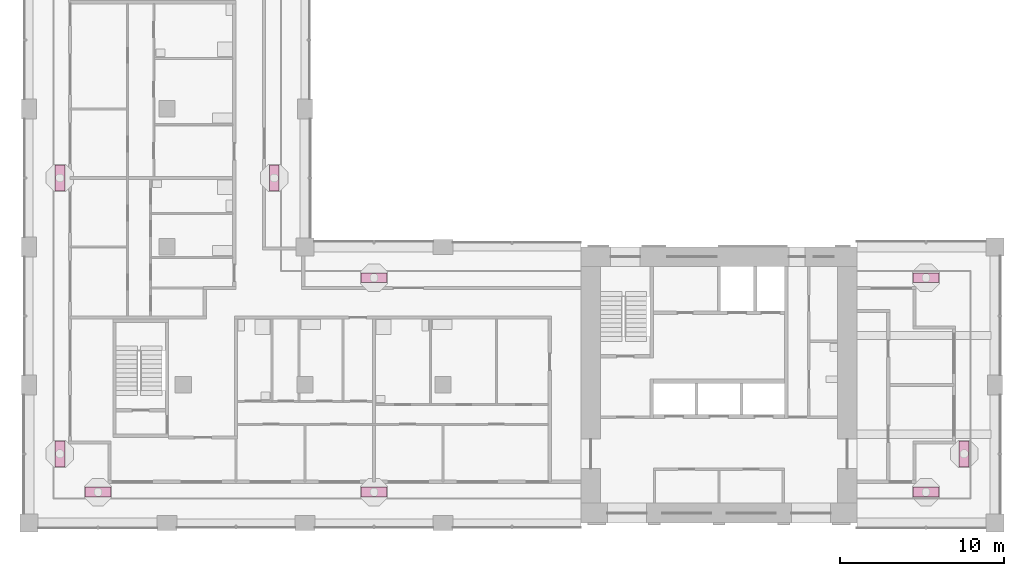
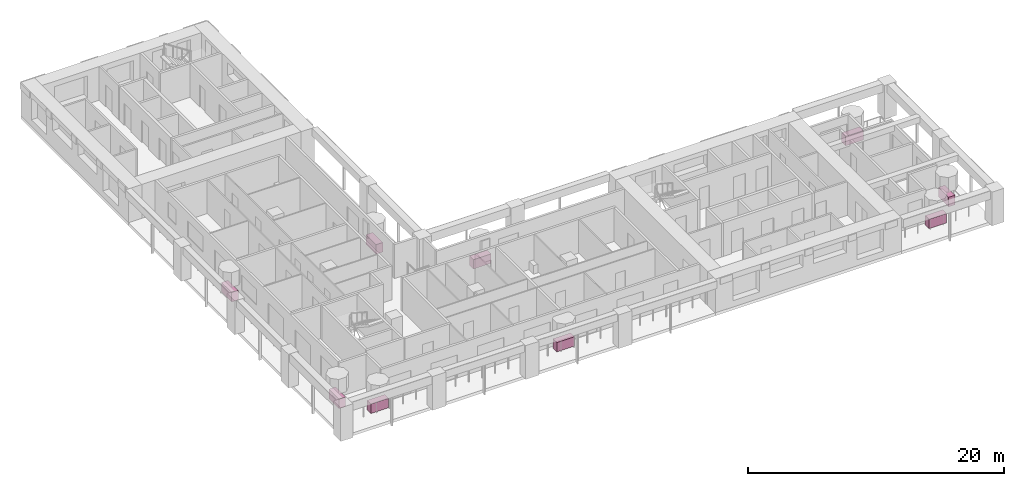
# One storey, part 12 of 13: 9 furniture elements.
"""IFC4 building model written with IfcOpenShell, lengths in metres."""

import ifcopenshell
import ifcopenshell.guid

model = None  # the IFC model being written
_history = None  # IfcOwnerHistory: only IFC2X3 demands one
_inside = {}  # id of a spatial element -> (the spatial element, [elements in it])
_under = {}  # id of a project, library or spatial element -> (it, [spatial elements below it])
_declared = {}  # id of a project -> (the project, [libraries it declares])
_typed = {}  # id of a type object -> (the type object, [elements of that type])
_made_of = {}  # id of a material, layer set ... -> (it, [elements and type objects made of it])


def new_model(schema):
    """Start an empty IFC model of exactly this schema.

    Asked for "IFC4X3", IfcOpenShell would pick the latest addendum, in which some entities
    have other attributes; the version numbers below select the first issue.
    IFC2X3 requires an IfcOwnerHistory on every rooted entity: one is made here for all.
    """
    global model, _history
    if schema == "IFC4X3":
        model = ifcopenshell.file(schema_version=(4, 3, 0, 0))
    else:
        model = ifcopenshell.file(schema=schema)
    _inside.clear()
    _under.clear()
    _declared.clear()
    _typed.clear()
    _made_of.clear()
    _history = None
    if model.schema == "IFC2X3":
        org = make("IfcOrganization", Name="unknown")
        user = make(
            "IfcPersonAndOrganization",
            ThePerson=make("IfcPerson", FamilyName="unknown"),
            TheOrganization=org,
        )
        app = make(
            "IfcApplication",
            ApplicationDeveloper=org,
            Version="unknown",
            ApplicationFullName="unknown",
            ApplicationIdentifier="unknown",
        )
        _history = make(
            "IfcOwnerHistory",
            OwningUser=user,
            OwningApplication=app,
            ChangeAction="ADDED",
            CreationDate=0,
        )
    return model


def make(cls, **values):
    """One entity of the class cls with the attributes given. An attribute that is None is left unset."""
    return model.create_entity(
        cls, **{name: value for name, value in values.items() if value is not None}
    )


def rooted(cls, **values):
    """An entity with a GlobalId (a new one), such as an element, a storey or a relation."""
    return make(cls, GlobalId=ifcopenshell.guid.new(), OwnerHistory=_history, **values)


def si_unit(unit_type, name, prefix=None):
    """IfcSIUnit, for example si_unit("LENGTHUNIT", "METRE", prefix="MILLI")."""
    return make("IfcSIUnit", UnitType=unit_type, Prefix=prefix, Name=name)


def assignment(units):
    """IfcUnitAssignment: the units of a project."""
    return None if units is None else make("IfcUnitAssignment", Units=units)


def point(xyz):
    """IfcCartesianPoint."""
    return None if xyz is None else make("IfcCartesianPoint", Coordinates=xyz)


def direction(xyz):
    """IfcDirection."""
    return None if xyz is None else make("IfcDirection", DirectionRatios=xyz)


def frame(location, z_axis=None, x_axis=None):
    """IfcAxis2Placement3D, a coordinate frame: its origin and axes. An axis left out is left unset."""
    return make(
        "IfcAxis2Placement3D",
        Location=point(location),
        Axis=direction(z_axis),
        RefDirection=direction(x_axis),
    )


def frame_2d(location, x_axis=None):
    """IfcAxis2Placement2D, a coordinate frame in the plane: its origin and x axis."""
    return make(
        "IfcAxis2Placement2D", Location=point(location), RefDirection=direction(x_axis)
    )


def origin():
    """The frame at (0, 0, 0) with its axes left unset."""
    return frame((0.0, 0.0, 0.0))


def origin_2d():
    """The frame at (0, 0) in the plane with its x axis left unset."""
    return frame_2d((0.0, 0.0))


def place(relative_to, where):
    """IfcLocalPlacement: puts the frame where relative to a parent placement (None: the world)."""
    return make(
        "IfcLocalPlacement", PlacementRelTo=relative_to, RelativePlacement=where
    )


def context(
    kind, dimensions, precision=None, world=None, true_north=None, identifier=None
):
    """IfcGeometricRepresentationContext, for example the 3D "Model" context."""
    return make(
        "IfcGeometricRepresentationContext",
        ContextIdentifier=identifier,
        ContextType=kind,
        CoordinateSpaceDimension=dimensions,
        Precision=precision,
        WorldCoordinateSystem=world,
        TrueNorth=true_north,
    )


def subcontext(parent, identifier, kind, view, scale=None):
    """IfcGeometricRepresentationSubContext, for example "Body" below "Model"."""
    return make(
        "IfcGeometricRepresentationSubContext",
        ContextIdentifier=identifier,
        ContextType=kind,
        ParentContext=parent,
        TargetScale=scale,
        TargetView=view,
    )


def project(units=None, contexts=None):
    """IfcProject with its units and contexts."""
    return rooted(
        "IfcProject",
        Name="project",
        RepresentationContexts=contexts,
        UnitsInContext=assignment(units),
    )


def spatial(cls, under=None, at=None, **own):
    """A site, building, storey or space (cls), placed at a placement, below another one or the project."""
    s = rooted(cls, ObjectPlacement=at, **own)
    if under is not None:
        _under.setdefault(under.id(), (under, []))[1].append(s)
    return s


def profile(cls, at=None, kind="AREA", **sizes):
    """A parametric profile (cls). Its sizes go by their IFC names, for example OverallWidth=200.0."""
    return make(cls, ProfileType=kind, Position=at, **sizes)


def rectangle(**sizes):
    """IfcRectangleProfileDef."""
    return profile("IfcRectangleProfileDef", **sizes)


def extrude(swept, where, along, depth):
    """IfcExtrudedAreaSolid: the profile swept, set in the frame where, extruded along a direction by depth."""
    return make(
        "IfcExtrudedAreaSolid",
        SweptArea=swept,
        Position=where,
        ExtrudedDirection=direction(along),
        Depth=depth,
    )


def shape(context_of_items, identifier, shape_type, items):
    """IfcShapeRepresentation: the items that make up one representation, for example the "Body"."""
    return make(
        "IfcShapeRepresentation",
        ContextOfItems=context_of_items,
        RepresentationIdentifier=identifier,
        RepresentationType=shape_type,
        Items=items,
    )


def material(Name=None, Category=None):
    """IfcMaterial."""
    return make("IfcMaterial", Name=Name, Category=Category)


def made_of(thing, what):
    """Note that an element or type object is made of a material, layer set ...; save() writes the relation."""
    if what is not None:
        _made_of.setdefault(what.id(), (what, []))[1].append(thing)
    return thing


def element(
    cls,
    number,
    at=None,
    inside=None,
    cuts=None,
    type_object=None,
    material=None,
    context=None,
    identifier="Body",
    shape_type=None,
    held_by="IfcProductDefinitionShape",
    body=None,
    shapes=None,
    **own,
):
    """One element of the class cls, such as IfcWall. Its Tag is "e" and its number.

    at: its placement. inside: the storey or other place that contains it. cuts: it is an
    opening in that element (IfcRelVoidsElement). A single representation is given by context,
    identifier, shape_type and body (its items); several are given by shapes. held_by: the class
    of the entity that holds the representations. save() writes the other relations.
    """
    e = rooted(cls, Tag="e%d" % number, ObjectPlacement=at, **own)
    if body is not None:
        shapes = [shape(context, identifier, shape_type, body)]
    if shapes is not None:
        e.Representation = make(held_by, Representations=shapes)
    if inside is not None:
        _inside.setdefault(inside.id(), (inside, []))[1].append(e)
    if cuts is not None:
        rooted(
            "IfcRelVoidsElement", RelatingBuildingElement=cuts, RelatedOpeningElement=e
        )
    if type_object is not None:
        _typed.setdefault(type_object.id(), (type_object, []))[1].append(e)
    return made_of(e, material)


def aggregate(whole, parts):
    """IfcRelAggregates: a whole, such as a stair, and the parts it consists of."""
    return rooted("IfcRelAggregates", RelatingObject=whole, RelatedObjects=parts)


def save(model, path):
    """Write the relations noted so far, then the file.

    IfcRelAggregates (storeys below a building ...), IfcRelContainedInSpatialStructure (elements
    in a storey), IfcRelDefinesByType, IfcRelAssociatesMaterial and IfcRelDeclares: one each for
    every whole, place, type object, material and project.
    """
    for whole, parts in _under.values():
        aggregate(whole, parts)
    for where, things in _inside.values():
        rooted(
            "IfcRelContainedInSpatialStructure",
            RelatedElements=things,
            RelatingStructure=where,
        )
    for kind, things in _typed.values():
        rooted("IfcRelDefinesByType", RelatedObjects=things, RelatingType=kind)
    for what, things in _made_of.values():
        rooted("IfcRelAssociatesMaterial", RelatedObjects=things, RelatingMaterial=what)
    for by, libraries in _declared.values():
        rooted("IfcRelDeclares", RelatingContext=by, RelatedDefinitions=libraries)
    model.write(path)


model = new_model("IFC4")

# Units and contexts
model_context = context("Model", 3, precision=1e-05, world=origin(), true_north=direction((0.0, 1.0)))
body_context = subcontext(model_context, "Body", "Model", "MODEL_VIEW")
ifc_project = project(units=[si_unit("LENGTHUNIT", "METRE"), si_unit("AREAUNIT", "SQUARE_METRE"), si_unit("VOLUMEUNIT", "CUBIC_METRE"), si_unit("PLANEANGLEUNIT", "RADIAN"), si_unit("MASSUNIT", "GRAM", prefix="KILO")], contexts=[model_context])

# Site, building, storey
site_placement = place(None, origin())
site = spatial("IfcSite", under=ifc_project, at=site_placement, CompositionType="ELEMENT")
building_placement = place(site_placement, origin())
building = spatial("IfcBuilding", under=site, at=building_placement, Name="Vermilion Gate Residences", CompositionType="ELEMENT")
storey_placement = place(building_placement, frame((0.0, 0.0, 186.199951171875)))
storey = spatial("IfcBuildingStorey", under=building, at=storey_placement, Name="L48", CompositionType="ELEMENT", Elevation=186.199951171875)

# Furniture
ifc_material = material(Name="Terracotta planter", Category="masonry")
for number, where, z_axis, x_axis, name in (
    (1, (12.60009765625, 10.27490234375, 0.0), (0.0, 0.0, 1.0), (1.0, 0.0, 0.0), "PLANTER"),
    (2, (29.39990234375, 10.27490234375, 0.0), (0.0, 0.0, 1.0), (1.0, 0.0, 0.0), "PLANTER"),
    (3, (63.0, 10.27490234375, 0.0), (0.0, 0.0, 1.0), (1.0, 0.0, 0.0), "PLANTER"),
    (4, (65.324951171875, 12.60009765625, 0.0), (0.0, 0.0, 1.0), (0.0, 1.0, 0.0), "PLANTER"),
    (5, (29.39990234375, 23.324951171875, 0.0), (0.0, 0.0, 1.0), (-1.0, 0.0, 0.0), "PLANTER"),
    (6, (63.0, 23.324951171875, 0.0), (0.0, 0.0, 1.0), (-1.0, 0.0, 0.0), "PLANTER"),
    (7, (23.324951171875, 29.39990234375, 0.0), (0.0, 0.0, 1.0), (0.0, 1.0, 0.0), "PLANTER"),
    (8, (10.27490234375, 12.60009765625, 0.0), (0.0, 0.0, 1.0), (0.0, -1.0, 0.0), "PLANTER"),
    (9, (10.27490234375, 29.39990234375, 0.0), (0.0, 0.0, 1.0), (0.0, -1.0, 0.0), "PLANTER"),
):
    element("IfcFurniture", number, at=place(storey_placement, frame(where, z_axis=z_axis, x_axis=x_axis)), inside=storey, material=ifc_material, Name=name, ObjectType="PLANTER", PredefinedType="USERDEFINED", context=body_context, shape_type="SweptSolid", body=[
        extrude(rectangle(XDim=1.60009765625, YDim=0.60009765625, at=origin_2d()), origin(), (0.0, 0.0, 1.0), 0.89990234375),
    ])

save(model, "model.ifc")
